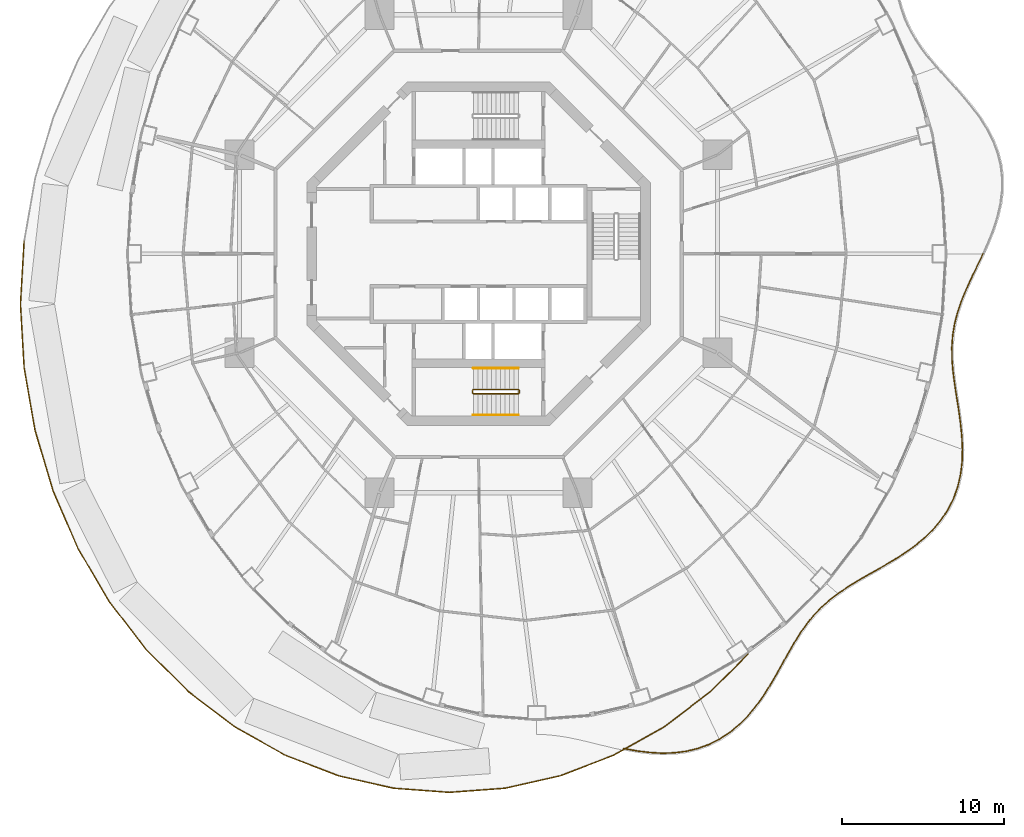
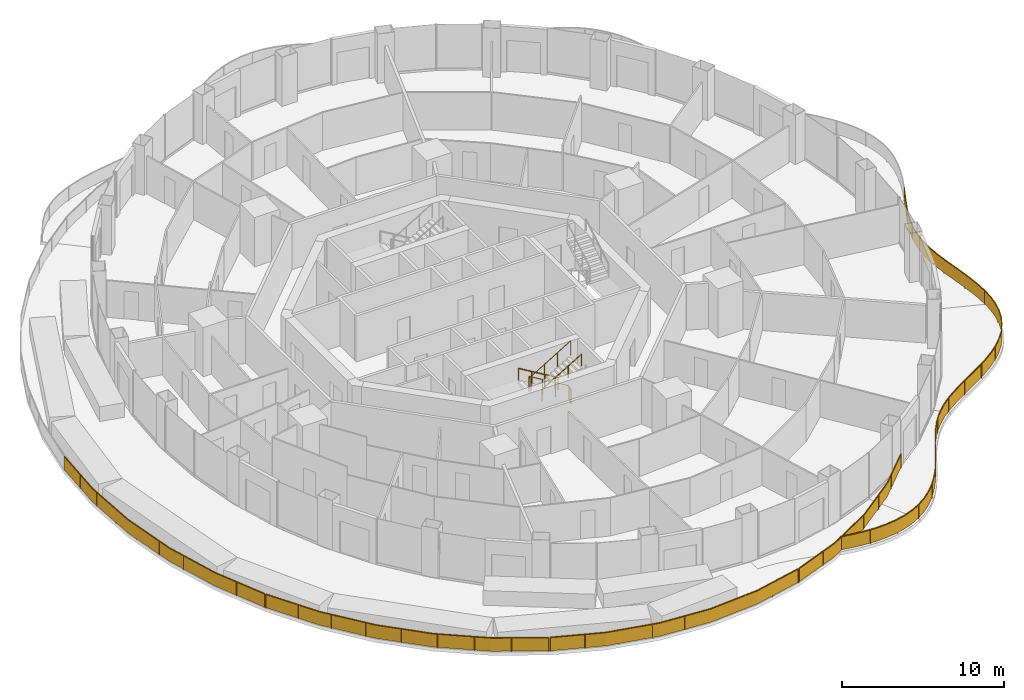
# One storey, part 18 of 20: 11 railings.
"""IFC4 building model written with IfcOpenShell, lengths in metres."""

from ifc_helpers import new_model, si_unit, direction, frame, origin, origin_2d, place, context, subcontext, project, spatial, polyline, rectangle, circle, outline, extrude, material, type_object, element, save


model = new_model("IFC4")

# Units and contexts
model_context = context("Model", 3, precision=1e-05, world=origin(), true_north=direction((0.0, 1.0)))
body_context = subcontext(model_context, "Body", "Model", "MODEL_VIEW")
ifc_project = project(units=[si_unit("LENGTHUNIT", "METRE"), si_unit("AREAUNIT", "SQUARE_METRE"), si_unit("VOLUMEUNIT", "CUBIC_METRE"), si_unit("PLANEANGLEUNIT", "RADIAN"), si_unit("MASSUNIT", "GRAM", prefix="KILO")], contexts=[model_context])

# Site, building, storey
site_placement = place(None, origin())
site = spatial("IfcSite", under=ifc_project, at=site_placement, CompositionType="ELEMENT")
building_placement = place(site_placement, origin())
building = spatial("IfcBuilding", under=site, at=building_placement, Name="Nagisa Residences", CompositionType="ELEMENT")
storey_placement = place(building_placement, frame((0.0, 0.0, 165.89990234375)))
storey = spatial("IfcBuildingStorey", under=building, at=storey_placement, Name="L41", CompositionType="ELEMENT", Elevation=165.89990234375)

# Railings
ifc_material_1 = material(Name="Stainless steel 316", Category="steel")
railing_type_1 = type_object("IfcRailingType", Name="BALCONY GUARD 1100", PredefinedType="BALUSTRADE", material=ifc_material_1)
railing_1_placement = place(storey_placement, frame((8.96875, -30.594970703125, 0.0)))
element("IfcRailing", 1, at=railing_1_placement, inside=storey, type_object=railing_type_1, Name="guard:L41:bal12-0", PredefinedType="BALUSTRADE", context=body_context, shape_type="SweptSolid", body=[
    extrude(outline(polyline([(0.138671875, -0.00439453125), (0.00537109375, 0.0244140625), (-0.00537109375, -0.0244140625), (0.12890625, -0.0537109375), (0.882568359375, -0.185546875), (1.642333984375, -0.2763671875), (2.3857421875, -0.3193359375), (3.138916015625, -0.294189453125), (3.87841796875, -0.1982421875), (4.59619140625, -0.02685546875), (5.285888671875, 0.22265625), (5.932373046875, 0.544677734375), (5.909912109375, 0.589599609375), (5.266357421875, 0.2685546875), (4.58203125, 0.02099609375), (3.869140625, -0.14892578125), (3.135009765625, -0.244384765625), (2.38623046875, -0.26904296875), (1.646728515625, -0.2265625), (0.889892578125, -0.13623046875), (0.138671875, -0.00439453125)])), frame((0.0, 0.0, 1.050048828125)), (0.0, 0.0, 1.0), 0.050048828125),
    extrude(outline(polyline([(0.13525390625, -0.022216796875), (0.00146484375, 0.0068359375), (-0.00146484375, -0.0068359375), (0.13232421875, -0.035888671875), (0.88525390625, -0.167724609375), (1.643798828125, -0.258544921875), (2.385986328125, -0.30126953125), (3.137451171875, -0.2763671875), (3.875, -0.180419921875), (4.591064453125, -0.009765625), (5.27880859375, 0.2392578125), (5.92431640625, 0.560791015625), (5.91796875, 0.573486328125), (5.2734375, 0.251953125), (4.587158203125, 0.00390625), (3.87255859375, -0.166748046875), (3.136474609375, -0.26220703125), (2.385986328125, -0.287109375), (1.645263671875, -0.244384765625), (0.88720703125, -0.154052734375), (0.13525390625, -0.022216796875)])), frame((0.0, 0.0, 0.06005859375)), (0.0, 0.0, 1.0), 0.989990234375),
    extrude(rectangle(XDim=0.0400390625, YDim=0.0400390625, at=origin_2d()), origin(), (0.0, 0.0, 1.0), 1.050048828125),
    extrude(rectangle(XDim=0.0400390625, YDim=0.0400390625, at=origin_2d()), frame((2.0087890625, -0.2724609375, 0.0)), (0.0, 0.0, 1.0), 1.050048828125),
    extrude(rectangle(XDim=0.0400390625, YDim=0.0400390625, at=origin_2d()), frame((4.02685546875, -0.13720703125, 0.0)), (0.0, 0.0, 1.0), 1.050048828125),
    extrude(rectangle(XDim=0.0400390625, YDim=0.0400390625, at=origin_2d()), frame((5.921142578125, 0.567138671875, 0.0)), (0.0, 0.0, 1.0), 1.050048828125),
])
railing_2_placement = place(storey_placement, frame((14.889892578125, -30.02783203125, 0.0)))
element("IfcRailing", 2, at=railing_2_placement, inside=storey, type_object=railing_type_1, Name="guard:L41:bal13-0", PredefinedType="BALUSTRADE", context=body_context, shape_type="SweptSolid", body=[
    extrude(outline(polyline([(0.6142578125, 0.43115234375), (-0.013671875, 0.02099609375), (0.013671875, -0.02099609375), (0.64404296875, 0.390625), (1.23779296875, 0.87890625), (1.78515625, 1.4296875), (2.287109375, 2.03125), (2.7470703125, 2.670654296875), (3.158203125, 3.32568359375), (3.5537109375, 3.999755859375), (3.9296875, 4.67138671875), (4.296142578125, 5.328857421875), (4.66357421875, 5.9619140625), (5.029541015625, 6.552490234375), (5.427978515625, 7.11669921875), (5.854736328125, 7.641357421875), (6.31640625, 8.126953125), (6.816650390625, 8.576416015625), (7.352294921875, 8.9892578125), (7.321533203125, 9.02880859375), (6.784423828125, 8.614990234375), (6.28125, 8.1630859375), (5.817138671875, 7.674560546875), (5.387939453125, 7.14697265625), (4.987548828125, 6.580322265625), (4.62060546875, 5.98779296875), (4.252685546875, 5.353759765625), (3.88623046875, 4.69580078125), (3.51025390625, 4.024658203125), (3.115234375, 3.3515625), (2.70556640625, 2.698486328125), (2.24755859375, 2.06201171875), (1.748046875, 1.46337890625), (1.2041015625, 0.916015625), (0.6142578125, 0.43115234375)])), frame((0.0, 0.0, 1.050048828125)), (0.0, 0.0, 1.0), 0.050048828125),
    extrude(outline(polyline([(0.625, 0.41650390625), (-0.00390625, 0.005859375), (0.00390625, -0.005859375), (0.63330078125, 0.4052734375), (1.2255859375, 0.892333984375), (1.771728515625, 1.44189453125), (2.27294921875, 2.042236328125), (2.732177734375, 2.6806640625), (3.142822265625, 3.3349609375), (3.5380859375, 4.0087890625), (3.9140625, 4.68017578125), (4.280517578125, 5.337890625), (4.648193359375, 5.97119140625), (5.014404296875, 6.5625), (5.41357421875, 7.127685546875), (5.84130859375, 7.6533203125), (6.3037109375, 8.139892578125), (6.804931640625, 8.59033203125), (7.34130859375, 9.00341796875), (7.33251953125, 9.0146484375), (6.796142578125, 8.60107421875), (6.2939453125, 8.150146484375), (5.83056640625, 7.66259765625), (5.40234375, 7.135986328125), (5.002685546875, 6.5703125), (4.635986328125, 5.978515625), (4.268310546875, 5.3447265625), (3.90185546875, 4.68701171875), (3.52587890625, 4.015625), (3.130615234375, 3.34228515625), (2.720458984375, 2.6884765625), (2.26171875, 2.051025390625), (1.761474609375, 1.451171875), (1.21630859375, 0.902587890625), (0.625, 0.41650390625)])), frame((0.0, 0.0, 0.06005859375)), (0.0, 0.0, 1.0), 0.989990234375),
    extrude(rectangle(XDim=0.0400390625, YDim=0.0400390625, at=origin_2d()), origin(), (0.0, 0.0, 1.0), 1.050048828125),
    extrude(rectangle(XDim=0.0400390625, YDim=0.0400390625, at=origin_2d()), frame((1.804931640625, 1.492431640625, 0.0)), (0.0, 0.0, 1.0), 1.050048828125),
    extrude(rectangle(XDim=0.0400390625, YDim=0.0400390625, at=origin_2d()), frame((3.1728515625, 3.400390625, 0.0)), (0.0, 0.0, 1.0), 1.050048828125),
    extrude(rectangle(XDim=0.0400390625, YDim=0.0400390625, at=origin_2d()), frame((4.33447265625, 5.444580078125, 0.0)), (0.0, 0.0, 1.0), 1.050048828125),
    extrude(rectangle(XDim=0.0400390625, YDim=0.0400390625, at=origin_2d()), frame((5.62890625, 7.403564453125, 0.0)), (0.0, 0.0, 1.0), 1.050048828125),
    extrude(rectangle(XDim=0.0400390625, YDim=0.0400390625, at=origin_2d()), frame((7.3369140625, 9.009033203125, 0.0)), (0.0, 0.0, 1.0), 1.050048828125),
])
railing_3_placement = place(storey_placement, frame((22.226806640625, -21.018798828125, 0.0)))
element("IfcRailing", 3, at=railing_3_placement, inside=storey, type_object=railing_type_1, Name="guard:L41:bal14-0", PredefinedType="BALUSTRADE", context=body_context, shape_type="SweptSolid", body=[
    extrude(outline(polyline([(0.59130859375, 0.4287109375), (-0.013916015625, 0.020751953125), (0.013916015625, -0.020751953125), (0.6181640625, 0.38671875), (1.264404296875, 0.78271484375), (1.9404296875, 1.172119140625), (2.635009765625, 1.566162109375), (3.33544921875, 1.975830078125), (4.018310546875, 2.3984375), (4.685546875, 2.867431640625), (5.31298828125, 3.376708984375), (5.88671875, 3.930908203125), (6.39404296875, 4.53125), (6.818603515625, 5.16455078125), (7.1669921875, 5.85400390625), (7.429443359375, 6.581787109375), (7.607421875, 7.34130859375), (7.70458984375, 8.125244140625), (7.7275390625, 8.91748046875), (7.677734375, 8.9189453125), (7.65478515625, 8.129150390625), (7.55810546875, 7.35009765625), (7.381591796875, 6.595947265625), (7.12109375, 5.8740234375), (6.775146484375, 5.18994140625), (6.35400390625, 4.5615234375), (5.85009765625, 3.965087890625), (5.27978515625, 3.414306640625), (4.6552734375, 2.907470703125), (3.990966796875, 2.4404296875), (3.3095703125, 2.018798828125), (2.610107421875, 1.609619140625), (1.91552734375, 1.215576171875), (1.239013671875, 0.82568359375), (0.59130859375, 0.4287109375)])), frame((0.0, 0.0, 1.050048828125)), (0.0, 0.0, 1.0), 0.050048828125),
    extrude(outline(polyline([(0.600830078125, 0.41357421875), (-0.00390625, 0.005859375), (0.00390625, -0.005859375), (0.608642578125, 0.40185546875), (1.25537109375, 0.798095703125), (1.931396484375, 1.187744140625), (2.6259765625, 1.581787109375), (3.326171875, 1.9912109375), (4.008544921875, 2.41357421875), (4.674560546875, 2.8818359375), (5.301025390625, 3.390380859375), (5.87353515625, 3.943115234375), (6.379638671875, 4.542236328125), (6.802978515625, 5.173583984375), (7.150390625, 5.861328125), (7.412353515625, 6.5869140625), (7.589599609375, 7.344482421875), (7.686767578125, 8.126708984375), (7.709716796875, 8.91796875), (7.695556640625, 8.91845703125), (7.672607421875, 8.127685546875), (7.575927734375, 7.346923828125), (7.398681640625, 6.5908203125), (7.1376953125, 5.86669921875), (6.790771484375, 5.180908203125), (6.368408203125, 4.550537109375), (5.86328125, 3.952880859375), (5.291748046875, 3.400634765625), (4.666259765625, 2.89306640625), (4.000732421875, 2.42529296875), (3.31884765625, 2.00341796875), (2.619140625, 1.593994140625), (1.924560546875, 1.199951171875), (1.248046875, 0.810302734375), (0.600830078125, 0.41357421875)])), frame((0.0, 0.0, 0.06005859375)), (0.0, 0.0, 1.0), 0.989990234375),
    extrude(rectangle(XDim=0.0400390625, YDim=0.0400390625, at=origin_2d()), origin(), (0.0, 0.0, 1.0), 1.050048828125),
    extrude(rectangle(XDim=0.0400390625, YDim=0.0400390625, at=origin_2d()), frame((1.7724609375, 1.104248046875, 0.0)), (0.0, 0.0, 1.0), 1.050048828125),
    extrude(rectangle(XDim=0.0400390625, YDim=0.0400390625, at=origin_2d()), frame((3.57763671875, 2.1552734375, 0.0)), (0.0, 0.0, 1.0), 1.050048828125),
    extrude(rectangle(XDim=0.0400390625, YDim=0.0400390625, at=origin_2d()), frame((5.270751953125, 3.374755859375, 0.0)), (0.0, 0.0, 1.0), 1.050048828125),
    extrude(rectangle(XDim=0.0400390625, YDim=0.0400390625, at=origin_2d()), frame((6.639892578125, 4.943115234375, 0.0)), (0.0, 0.0, 1.0), 1.050048828125),
    extrude(rectangle(XDim=0.0400390625, YDim=0.0400390625, at=origin_2d()), frame((7.46630859375, 6.848876953125, 0.0)), (0.0, 0.0, 1.0), 1.050048828125),
    extrude(rectangle(XDim=0.0400390625, YDim=0.0400390625, at=origin_2d()), frame((7.70263671875, 8.918212890625, 0.0)), (0.0, 0.0, 1.0), 1.050048828125),
])
railing_4_placement = place(storey_placement, frame((29.929443359375, -12.1005859375, 0.0)))
element("IfcRailing", 4, at=railing_4_placement, inside=storey, type_object=railing_type_1, Name="guard:L41:bal15-0", PredefinedType="BALUSTRADE", context=body_context, shape_type="SweptSolid", body=[
    extrude(outline(polyline([(-0.063720703125, 0.823486328125), (-0.02490234375, -0.001220703125), (0.02490234375, 0.001220703125), (-0.013916015625, 0.827392578125), (-0.098876953125, 1.6611328125), (-0.21484375, 2.48779296875), (-0.3427734375, 3.30126953125), (-0.46435546875, 4.09716796875), (-0.564697265625, 4.860107421875), (-0.62255859375, 5.615966796875), (-0.62841796875, 6.35400390625), (-0.574462890625, 7.076416015625), (-0.4560546875, 7.787841796875), (-0.274658203125, 8.479736328125), (-0.0322265625, 9.185546875), (0.2607421875, 9.89599609375), (0.59130859375, 10.615966796875), (0.943115234375, 11.34912109375), (1.298095703125, 12.08984375), (1.253173828125, 12.111328125), (0.898193359375, 11.37060546875), (0.5458984375, 10.637451171875), (0.21484375, 9.916015625), (-0.0791015625, 9.203125), (-0.322509765625, 8.494384765625), (-0.5048828125, 7.798095703125), (-0.624267578125, 7.082275390625), (-0.6787109375, 6.35546875), (-0.67236328125, 5.614013671875), (-0.614501953125, 4.854736328125), (-0.513671875, 4.09033203125), (-0.39208984375, 3.29345703125), (-0.26416015625, 2.48046875), (-0.148681640625, 1.6552734375), (-0.063720703125, 0.823486328125)])), frame((0.0, 0.0, 1.050048828125)), (0.0, 0.0, 1.0), 0.050048828125),
    extrude(outline(polyline([(-0.0458984375, 0.824951171875), (-0.007080078125, -0.000244140625), (0.007080078125, 0.000244140625), (-0.03173828125, 0.825927734375), (-0.116943359375, 1.658935546875), (-0.232666015625, 2.485107421875), (-0.360595703125, 3.29833984375), (-0.482177734375, 4.0947265625), (-0.58251953125, 4.858154296875), (-0.640380859375, 5.615234375), (-0.646484375, 6.3544921875), (-0.592529296875, 7.07861328125), (-0.4736328125, 7.79150390625), (-0.2919921875, 8.485107421875), (-0.049072265625, 9.19189453125), (0.244140625, 9.9033203125), (0.574951171875, 10.623779296875), (0.927001953125, 11.35693359375), (1.281982421875, 12.09765625), (1.269287109375, 12.103515625), (0.914306640625, 11.36279296875), (0.562255859375, 10.629638671875), (0.2314453125, 9.90869140625), (-0.062255859375, 9.19677734375), (-0.30517578125, 8.489013671875), (-0.4873046875, 7.79443359375), (-0.606201171875, 7.080078125), (-0.66064453125, 6.35498046875), (-0.654541015625, 5.61474609375), (-0.5966796875, 4.856689453125), (-0.495849609375, 4.0927734375), (-0.374267578125, 3.29638671875), (-0.246337890625, 2.483154296875), (-0.130615234375, 1.657470703125), (-0.0458984375, 0.824951171875)])), frame((0.0, 0.0, 0.06005859375)), (0.0, 0.0, 1.0), 0.989990234375),
    extrude(rectangle(XDim=0.0400390625, YDim=0.0400390625, at=origin_2d()), origin(), (0.0, 0.0, 1.0), 1.050048828125),
    extrude(rectangle(XDim=0.0400390625, YDim=0.0400390625, at=origin_2d()), frame((-0.182373046875, 2.075439453125, 0.0)), (0.0, 0.0, 1.0), 1.050048828125),
    extrude(rectangle(XDim=0.0400390625, YDim=0.0400390625, at=origin_2d()), frame((-0.49462890625, 4.13671875, 0.0)), (0.0, 0.0, 1.0), 1.050048828125),
    extrude(rectangle(XDim=0.0400390625, YDim=0.0400390625, at=origin_2d()), frame((-0.65234375, 6.213134765625, 0.0)), (0.0, 0.0, 1.0), 1.050048828125),
    extrude(rectangle(XDim=0.0400390625, YDim=0.0400390625, at=origin_2d()), frame((-0.35546875, 8.27001953125, 0.0)), (0.0, 0.0, 1.0), 1.050048828125),
    extrude(rectangle(XDim=0.0400390625, YDim=0.0400390625, at=origin_2d()), frame((0.380859375, 10.217529296875, 0.0)), (0.0, 0.0, 1.0), 1.050048828125),
    extrude(rectangle(XDim=0.0400390625, YDim=0.0400390625, at=origin_2d()), frame((1.275634765625, 12.1005859375, 0.0)), (0.0, 0.0, 1.0), 1.050048828125),
])
ifc_material_2 = material(Name="Stainless steel 316", Category="steel")
railing_type_2 = type_object("IfcRailingType", Name="ROOF GUARD 1100", PredefinedType="GUARDRAIL", material=ifc_material_2)
railing_5_placement = place(storey_placement, frame((-28.1103515625, 0.78369140625, 0.0)))
element("IfcRailing", 5, at=railing_5_placement, inside=storey, type_object=railing_type_2, Name="guard:L41:garden02", PredefinedType="GUARDRAIL", context=body_context, shape_type="SweptSolid", body=[
    extrude(outline(polyline([(-0.199462890625, -3.9013671875), (0.02490234375, -0.00146484375), (-0.02490234375, 0.00146484375), (-0.249755859375, -3.9013671875), (-0.0224609375, -7.845458984375), (0.655029296875, -11.72216796875), (1.771728515625, -15.465087890625), (3.29150390625, -18.97216796875), (3.33740234375, -18.9521484375), (1.818603515625, -15.447998046875), (0.703857421875, -11.71044921875), (0.02734375, -7.839599609375), (-0.199462890625, -3.9013671875)])), frame((0.0, 0.0, 1.050048828125)), (0.0, 0.0, 1.0), 0.050048828125),
    extrude(outline(polyline([(-0.217529296875, -3.9013671875), (0.007080078125, -0.00048828125), (-0.007080078125, 0.00048828125), (-0.231689453125, -3.9013671875), (-0.004638671875, -7.84326171875), (0.672607421875, -11.718017578125), (1.78857421875, -15.458984375), (3.30810546875, -18.96484375), (3.32080078125, -18.95947265625), (1.8017578125, -15.4541015625), (0.686279296875, -11.714599609375), (0.009521484375, -7.841796875), (-0.217529296875, -3.9013671875)])), frame((0.0, 0.0, 0.06005859375)), (0.0, 0.0, 1.0), 0.989990234375),
    extrude(rectangle(XDim=0.0400390625, YDim=0.0400390625, at=origin_2d()), origin(), (0.0, 0.0, 1.0), 1.050048828125),
    extrude(rectangle(XDim=0.0400390625, YDim=0.0400390625, at=origin_2d()), frame((-0.12451171875, -2.164306640625, 0.0)), (0.0, 0.0, 1.0), 1.050048828125),
    extrude(rectangle(XDim=0.0400390625, YDim=0.0400390625, at=origin_2d()), frame((-0.199951171875, -4.328857421875, 0.0)), (0.0, 0.0, 1.0), 1.050048828125),
    extrude(rectangle(XDim=0.0400390625, YDim=0.0400390625, at=origin_2d()), frame((-0.0751953125, -6.4931640625, 0.0)), (0.0, 0.0, 1.0), 1.050048828125),
    extrude(rectangle(XDim=0.0400390625, YDim=0.0400390625, at=origin_2d()), frame((0.14306640625, -8.646728515625, 0.0)), (0.0, 0.0, 1.0), 1.050048828125),
    extrude(rectangle(XDim=0.0400390625, YDim=0.0400390625, at=origin_2d()), frame((0.51611328125, -10.7822265625, 0.0)), (0.0, 0.0, 1.0), 1.050048828125),
    extrude(rectangle(XDim=0.0400390625, YDim=0.0400390625, at=origin_2d()), frame((1.028076171875, -12.88525390625, 0.0)), (0.0, 0.0, 1.0), 1.050048828125),
    extrude(rectangle(XDim=0.0400390625, YDim=0.0400390625, at=origin_2d()), frame((1.64794921875, -14.962646484375, 0.0)), (0.0, 0.0, 1.0), 1.050048828125),
    extrude(rectangle(XDim=0.0400390625, YDim=0.0400390625, at=origin_2d()), frame((2.452392578125, -16.972900390625, 0.0)), (0.0, 0.0, 1.0), 1.050048828125),
    extrude(rectangle(XDim=0.0400390625, YDim=0.0400390625, at=origin_2d()), frame((3.314453125, -18.962158203125, 0.0)), (0.0, 0.0, 1.0), 1.050048828125),
])
railing_6_placement = place(storey_placement, frame((-24.759765625, -18.249755859375, 0.0)))
element("IfcRailing", 6, at=railing_6_placement, inside=storey, type_object=railing_type_2, Name="guard:L41:garden03", PredefinedType="GUARDRAIL", context=body_context, shape_type="SweptSolid", body=[
    extrude(outline(polyline([(1.928955078125, -3.235595703125), (0.021484375, 0.0126953125), (-0.021484375, -0.0126953125), (1.887451171875, -3.263427734375), (4.177978515625, -6.235595703125), (6.789794921875, -8.842041015625), (9.6787109375, -11.03857421875), (12.758056640625, -12.7666015625), (12.782470703125, -12.72314453125), (9.7060546875, -10.99658203125), (6.822998046875, -8.804443359375), (4.215576171875, -6.202392578125), (1.928955078125, -3.235595703125)])), frame((0.0, 0.0, 1.050048828125)), (0.0, 0.0, 1.0), 0.050048828125),
    extrude(outline(polyline([(1.9140625, -3.24560546875), (0.006103515625, 0.003662109375), (-0.006103515625, -0.003662109375), (1.90234375, -3.25341796875), (4.19140625, -6.2236328125), (6.8017578125, -8.82861328125), (9.6884765625, -11.0234375), (12.766845703125, -12.7509765625), (12.773681640625, -12.73876953125), (9.6962890625, -11.01171875), (6.81103515625, -8.81787109375), (4.2021484375, -6.21435546875), (1.9140625, -3.24560546875)])), frame((0.0, 0.0, 0.06005859375)), (0.0, 0.0, 1.0), 0.989990234375),
    extrude(rectangle(XDim=0.0400390625, YDim=0.0400390625, at=origin_2d()), origin(), (0.0, 0.0, 1.0), 1.050048828125),
    extrude(rectangle(XDim=0.0400390625, YDim=0.0400390625, at=origin_2d()), frame((1.162109375, -1.97900390625, 0.0)), (0.0, 0.0, 1.0), 1.050048828125),
    extrude(rectangle(XDim=0.0400390625, YDim=0.0400390625, at=origin_2d()), frame((2.40966796875, -3.900146484375, 0.0)), (0.0, 0.0, 1.0), 1.050048828125),
    extrude(rectangle(XDim=0.0400390625, YDim=0.0400390625, at=origin_2d()), frame((3.810546875, -5.7177734375, 0.0)), (0.0, 0.0, 1.0), 1.050048828125),
    extrude(rectangle(XDim=0.0400390625, YDim=0.0400390625, at=origin_2d()), frame((5.373291015625, -7.39306640625, 0.0)), (0.0, 0.0, 1.0), 1.050048828125),
    extrude(rectangle(XDim=0.0400390625, YDim=0.0400390625, at=origin_2d()), frame((7.021484375, -8.98681640625, 0.0)), (0.0, 0.0, 1.0), 1.050048828125),
    extrude(rectangle(XDim=0.0400390625, YDim=0.0400390625, at=origin_2d()), frame((8.848388671875, -10.375732421875, 0.0)), (0.0, 0.0, 1.0), 1.050048828125),
    extrude(rectangle(XDim=0.0400390625, YDim=0.0400390625, at=origin_2d()), frame((10.76904296875, -11.621826171875, 0.0)), (0.0, 0.0, 1.0), 1.050048828125),
    extrude(rectangle(XDim=0.0400390625, YDim=0.0400390625, at=origin_2d()), frame((12.770263671875, -12.744873046875, 0.0)), (0.0, 0.0, 1.0), 1.050048828125),
])
railing_7_placement = place(storey_placement, frame((-11.917236328125, -31.028564453125, 0.0)))
element("IfcRailing", 7, at=railing_7_placement, inside=storey, type_object=railing_type_2, Name="guard:L41:garden04", PredefinedType="GUARDRAIL", context=body_context, shape_type="SweptSolid", body=[
    extrude(outline(polyline([(3.2568359375, -1.2314453125), (0.009033203125, 0.0234375), (-0.009033203125, -0.0234375), (3.2421875, -1.279296875), (6.650146484375, -2.05078125), (10.1171875, -2.309326171875), (13.58447265625, -2.05078125), (16.95166015625, -1.28857421875), (16.9404296875, -1.23974609375), (13.5771484375, -2.0009765625), (10.1171875, -2.259033203125), (6.657470703125, -2.0009765625), (3.2568359375, -1.2314453125)])), frame((0.0, 0.0, 1.050048828125)), (0.0, 0.0, 1.0), 0.050048828125),
    extrude(outline(polyline([(3.25146484375, -1.24853515625), (0.00244140625, 0.006591796875), (-0.00244140625, -0.006591796875), (3.24755859375, -1.26220703125), (6.65283203125, -2.03271484375), (10.1171875, -2.291259765625), (13.581787109375, -2.03271484375), (16.947509765625, -1.27099609375), (16.944580078125, -1.25732421875), (13.579833984375, -2.01904296875), (10.1171875, -2.277099609375), (6.65478515625, -2.01904296875), (3.25146484375, -1.24853515625)])), frame((0.0, 0.0, 0.06005859375)), (0.0, 0.0, 1.0), 0.989990234375),
    extrude(rectangle(XDim=0.0400390625, YDim=0.0400390625, at=origin_2d()), origin(), (0.0, 0.0, 1.0), 1.050048828125),
    extrude(rectangle(XDim=0.0400390625, YDim=0.0400390625, at=origin_2d()), frame((2.025390625, -0.782470703125, 0.0)), (0.0, 0.0, 1.0), 1.050048828125),
    extrude(rectangle(XDim=0.0400390625, YDim=0.0400390625, at=origin_2d()), frame((4.08740234375, -1.445068359375, 0.0)), (0.0, 0.0, 1.0), 1.050048828125),
    extrude(rectangle(XDim=0.0400390625, YDim=0.0400390625, at=origin_2d()), frame((6.205078125, -1.92431640625, 0.0)), (0.0, 0.0, 1.0), 1.050048828125),
    extrude(rectangle(XDim=0.0400390625, YDim=0.0400390625, at=origin_2d()), frame((8.3603515625, -2.153076171875, 0.0)), (0.0, 0.0, 1.0), 1.050048828125),
    extrude(rectangle(XDim=0.0400390625, YDim=0.0400390625, at=origin_2d()), frame((10.525634765625, -2.253662109375, 0.0)), (0.0, 0.0, 1.0), 1.050048828125),
    extrude(rectangle(XDim=0.0400390625, YDim=0.0400390625, at=origin_2d()), frame((12.69091796875, -2.09228515625, 0.0)), (0.0, 0.0, 1.0), 1.050048828125),
    extrude(rectangle(XDim=0.0400390625, YDim=0.0400390625, at=origin_2d()), frame((14.828369140625, -1.743408203125, 0.0)), (0.0, 0.0, 1.0), 1.050048828125),
    extrude(rectangle(XDim=0.0400390625, YDim=0.0400390625, at=origin_2d()), frame((16.946044921875, -1.26416015625, 0.0)), (0.0, 0.0, 1.0), 1.050048828125),
])
railing_8_placement = place(storey_placement, frame((5.10498046875, -32.269287109375, 0.0)))
element("IfcRailing", 8, at=railing_8_placement, inside=storey, type_object=railing_type_2, Name="guard:L41:garden05", PredefinedType="GUARDRAIL", context=body_context, shape_type="SweptSolid", body=[
    extrude(outline(polyline([(3.23876953125, 1.27783203125), (-0.009033203125, 0.0234375), (0.009033203125, -0.0234375), (3.26025390625, 1.232421875), (6.376220703125, 2.98095703125), (9.26513671875, 5.177490234375), (11.587646484375, 7.4951171875), (11.552490234375, 7.53076171875), (9.23193359375, 5.215087890625), (6.348876953125, 3.02294921875), (3.23876953125, 1.27783203125)])), frame((0.0, 0.0, 1.050048828125)), (0.0, 0.0, 1.0), 0.050048828125),
    extrude(outline(polyline([(3.24658203125, 1.261474609375), (-0.00244140625, 0.006591796875), (0.00244140625, -0.006591796875), (3.25244140625, 1.248779296875), (6.366455078125, 2.99609375), (9.253173828125, 5.19091796875), (11.574951171875, 7.508056640625), (11.565185546875, 7.517822265625), (9.243896484375, 5.20166015625), (6.358642578125, 3.0078125), (3.24658203125, 1.261474609375)])), frame((0.0, 0.0, 0.06005859375)), (0.0, 0.0, 1.0), 0.989990234375),
    extrude(rectangle(XDim=0.0400390625, YDim=0.0400390625, at=origin_2d()), origin(), (0.0, 0.0, 1.0), 1.050048828125),
    extrude(rectangle(XDim=0.0400390625, YDim=0.0400390625, at=origin_2d()), frame((2.170166015625, 0.838134765625, 0.0)), (0.0, 0.0, 1.0), 1.050048828125),
    extrude(rectangle(XDim=0.0400390625, YDim=0.0400390625, at=origin_2d()), frame((4.269287109375, 1.827392578125, 0.0)), (0.0, 0.0, 1.0), 1.050048828125),
    extrude(rectangle(XDim=0.0400390625, YDim=0.0400390625, at=origin_2d()), frame((6.298095703125, 2.9658203125, 0.0)), (0.0, 0.0, 1.0), 1.050048828125),
    extrude(rectangle(XDim=0.0400390625, YDim=0.0400390625, at=origin_2d()), frame((8.155517578125, 4.365234375, 0.0)), (0.0, 0.0, 1.0), 1.050048828125),
    extrude(rectangle(XDim=0.0400390625, YDim=0.0400390625, at=origin_2d()), frame((9.92333984375, 5.86962890625, 0.0)), (0.0, 0.0, 1.0), 1.050048828125),
    extrude(rectangle(XDim=0.0400390625, YDim=0.0400390625, at=origin_2d()), frame((11.570068359375, 7.512939453125, 0.0)), (0.0, 0.0, 1.0), 1.050048828125),
])
ifc_material_3 = material(Name="Stainless steel", Category="steel")
railing_type_3 = type_object("IfcRailingType", Name="Stair guard 1100", PredefinedType="GUARDRAIL", material=ifc_material_3)
railing_9_placement = place(storey_placement, frame((2.52490234375, -8.599609375, 0.0)))
element("IfcRailing", 9, at=railing_9_placement, inside=storey, type_object=railing_type_3, Name="L41 ST-S stair guard 1", PredefinedType="GUARDRAIL", context=body_context, shape_type="SweptSolid", body=[
    extrude(circle(Radius=0.02392578125, at=origin_2d()), frame((0.0, 0.0, 1.076171875), z_axis=(0.0, 1.0, 0.0), x_axis=(-1.0, 0.0, 0.0)), (0.0, 0.0, 1.0), 0.14990234375),
    extrude(circle(Radius=0.02392578125, at=origin_2d()), frame((0.0, 0.14990234375, 1.076171875), z_axis=(-0.273006030465, 0.27434429532, 0.922064485248), x_axis=(-0.708833529934, -0.705375805398, 0.0)), (0.0, 0.0, 1.0), 0.182373046875),
    extrude(circle(Radius=0.02392578125, at=origin_2d()), frame((-0.0498046875, 0.199951171875, 1.244140625), z_axis=(-0.857242210791, 0.0, 0.514913383045), x_axis=(0.0, -1.0, 0.0)), (0.0, 0.0, 1.0), 3.266357421875),
    extrude(circle(Radius=0.02392578125, at=origin_2d()), frame((-2.849853515625, 0.199951171875, 2.92626953125), z_axis=(-0.707106781187, -0.707106781187, 0.0), x_axis=(0.707106781187, -0.707106781187, 0.0)), (0.0, 0.0, 1.0), 0.07080078125),
    extrude(circle(Radius=0.02392578125, at=origin_2d()), frame((-2.89990234375, 0.14990234375, 2.92626953125), z_axis=(0.0, -1.0, 0.0), x_axis=(1.0, 0.0, 0.0)), (0.0, 0.0, 1.0), 0.14990234375),
    extrude(circle(Radius=0.02392578125, at=origin_2d()), frame((-2.89990234375, 0.0, 2.92626953125), z_axis=(0.274243871929, -0.274243871929, 0.92172696468), x_axis=(0.707106781187, 0.707106781187, 0.0)), (0.0, 0.0, 1.0), 0.1826171875),
    extrude(circle(Radius=0.02392578125, at=origin_2d()), frame((-2.849853515625, -0.050048828125, 3.09423828125), z_axis=(0.857242210791, 0.0, 0.514913383045), x_axis=(0.0, 1.0, 0.0)), (0.0, 0.0, 1.0), 3.266357421875),
    extrude(circle(Radius=0.02099609375, at=origin_2d()), origin(), (0.0, 0.0, 1.0), 1.052001953125),
    extrude(circle(Radius=0.02099609375, at=origin_2d()), frame((0.0, 0.14990234375, 0.0)), (0.0, 0.0, 1.0), 1.052001953125),
    extrude(circle(Radius=0.02099609375, at=origin_2d()), frame((-0.0498046875, 0.199951171875, 0.168212890625)), (0.0, 0.0, 1.0), 1.052001953125),
    extrude(circle(Radius=0.02099609375, at=origin_2d()), frame((-0.983154296875, 0.199951171875, 0.728759765625)), (0.0, 0.0, 1.0), 1.052001953125),
    extrude(circle(Radius=0.02099609375, at=origin_2d()), frame((-1.91650390625, 0.199951171875, 1.28955078125)), (0.0, 0.0, 1.0), 1.052001953125),
    extrude(circle(Radius=0.02099609375, at=origin_2d()), frame((-2.849853515625, 0.199951171875, 1.85009765625)), (0.0, 0.0, 1.0), 1.052001953125),
    extrude(circle(Radius=0.02099609375, at=origin_2d()), frame((-2.89990234375, 0.14990234375, 1.85009765625)), (0.0, 0.0, 1.0), 1.052001953125),
    extrude(circle(Radius=0.02099609375, at=origin_2d()), frame((-2.89990234375, 0.0, 1.85009765625)), (0.0, 0.0, 1.0), 1.052001953125),
    extrude(circle(Radius=0.02099609375, at=origin_2d()), frame((-2.849853515625, -0.050048828125, 2.018310546875)), (0.0, 0.0, 1.0), 1.052001953125),
    extrude(circle(Radius=0.02099609375, at=origin_2d()), frame((-1.91650390625, -0.050048828125, 2.578857421875)), (0.0, 0.0, 1.0), 1.052001953125),
    extrude(circle(Radius=0.02099609375, at=origin_2d()), frame((-0.983154296875, -0.050048828125, 3.1396484375)), (0.0, 0.0, 1.0), 1.052001953125),
    extrude(circle(Radius=0.02099609375, at=origin_2d()), frame((-0.0498046875, -0.050048828125, 3.7001953125)), (0.0, 0.0, 1.0), 1.052001953125),
])
ifc_material_4 = material(Name="Stainless steel", Category="steel")
railing_type_4 = type_object("IfcRailingType", Name="Stair handrail 900", PredefinedType="HANDRAIL", material=ifc_material_4)
railing_10_placement = place(storey_placement, frame((2.47509765625, -7.07470703125, 0.168212890625)))
element("IfcRailing", 10, at=railing_10_placement, inside=storey, type_object=railing_type_4, Name="L41 ST-S stair handrail 1", PredefinedType="HANDRAIL", context=body_context, shape_type="SweptSolid", body=[
    extrude(circle(Radius=0.02392578125, at=origin_2d()), frame((0.0, 0.0, 0.8759765625), z_axis=(-0.857242210791, 0.0, 0.514913383045), x_axis=(0.0, -1.0, 0.0)), (0.0, 0.0, 1.0), 3.266357421875),
    extrude(circle(Radius=0.02099609375, at=origin_2d()), origin(), (0.0, 0.0, 1.0), 0.851806640625),
    extrude(circle(Radius=0.02099609375, at=origin_2d()), frame((-0.933349609375, 0.0, 0.560546875)), (0.0, 0.0, 1.0), 0.851806640625),
    extrude(circle(Radius=0.02099609375, at=origin_2d()), frame((-1.86669921875, 0.0, 1.121337890625)), (0.0, 0.0, 1.0), 0.851806640625),
    extrude(circle(Radius=0.02099609375, at=origin_2d()), frame((-2.800048828125, 0.0, 1.681884765625)), (0.0, 0.0, 1.0), 0.851806640625),
])
railing_11_placement = place(storey_placement, frame((-0.324951171875, -9.974609375, 2.018310546875)))
element("IfcRailing", 11, at=railing_11_placement, inside=storey, type_object=railing_type_4, Name="L41 ST-S stair handrail 2", PredefinedType="HANDRAIL", context=body_context, shape_type="SweptSolid", body=[
    extrude(circle(Radius=0.02392578125, at=origin_2d()), frame((0.0, 0.0, 0.8759765625), z_axis=(0.857242210791, 0.0, 0.514913383045), x_axis=(0.0, 1.0, 0.0)), (0.0, 0.0, 1.0), 3.266357421875),
    extrude(circle(Radius=0.02099609375, at=origin_2d()), origin(), (0.0, 0.0, 1.0), 0.851806640625),
    extrude(circle(Radius=0.02099609375, at=origin_2d()), frame((0.933349609375, 0.0, 0.560546875)), (0.0, 0.0, 1.0), 0.851806640625),
    extrude(circle(Radius=0.02099609375, at=origin_2d()), frame((1.86669921875, 0.0, 1.121337890625)), (0.0, 0.0, 1.0), 0.851806640625),
    extrude(circle(Radius=0.02099609375, at=origin_2d()), frame((2.800048828125, 0.0, 1.681884765625)), (0.0, 0.0, 1.0), 0.851806640625),
])

save(model, "model.ifc")
